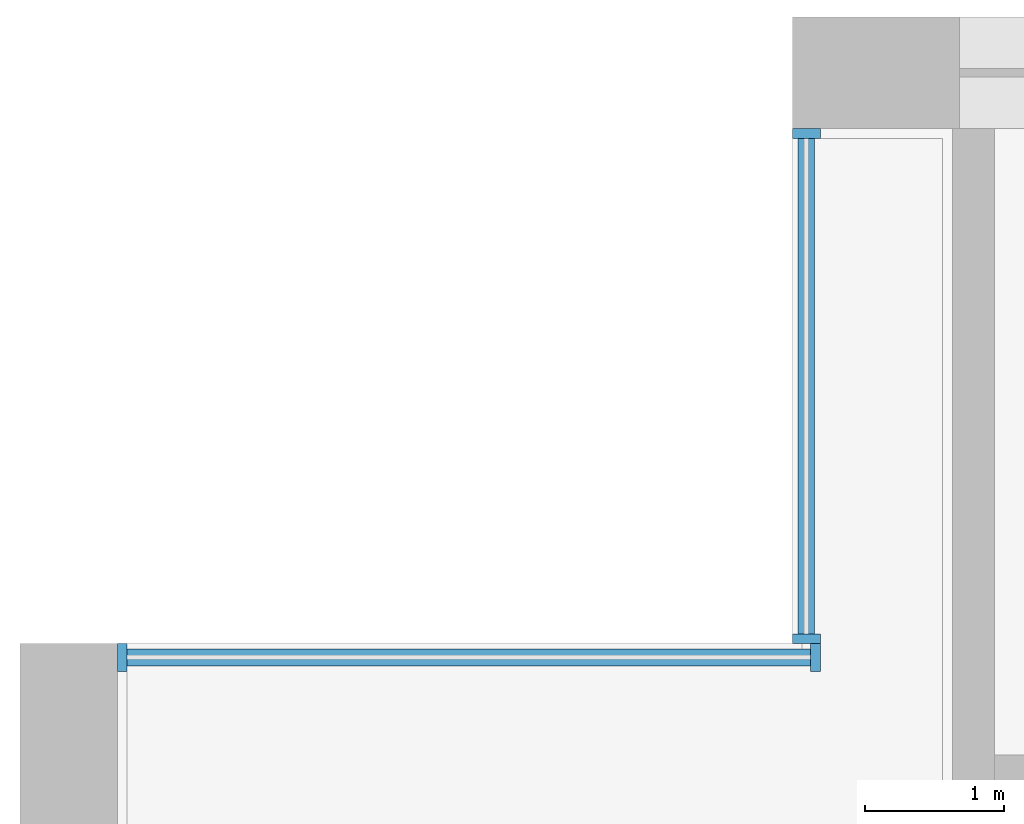
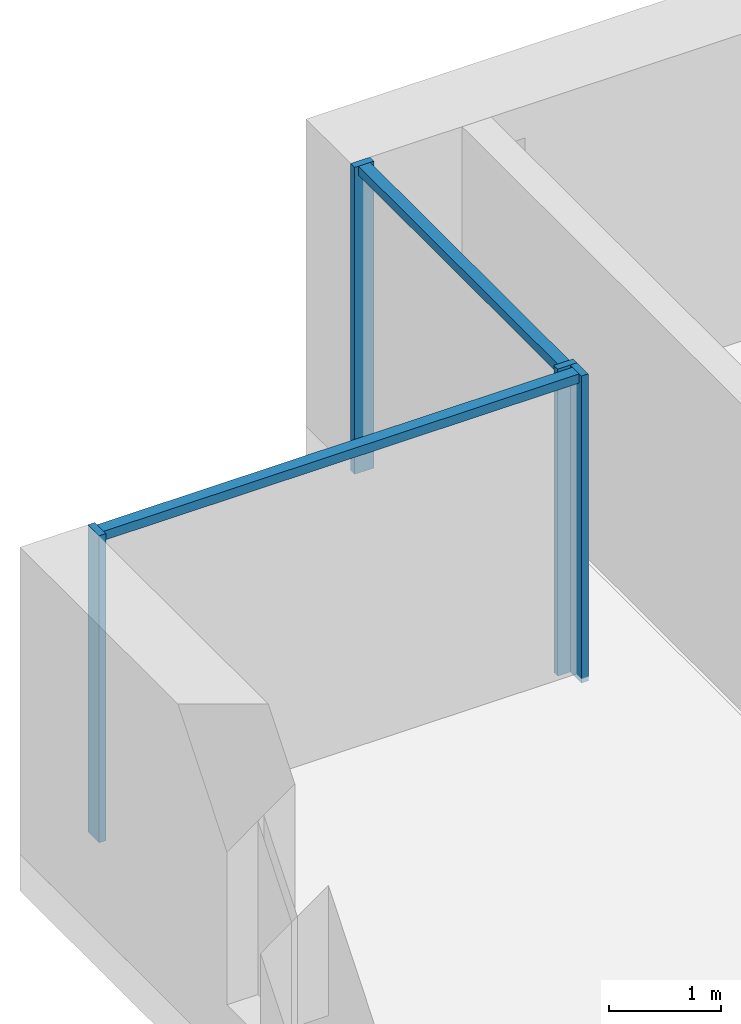
# One storey, part 4 of 15: 6 members, 2 elements without a shape of their own.
"""IFC4 building model written with IfcOpenShell, lengths in metres."""

from ifc_helpers import new_model, si_unit, direction, frame, origin, origin_2d, place, context, subcontext, project, spatial, rectangle, extrude, material, material_profile, profile_set, type_object, element, aggregate, save


model = new_model("IFC4")

# Units and contexts
model_context = context("Model", 3, precision=1e-05, world=origin(), true_north=direction((0.0, 1.0)))
body_context = subcontext(model_context, "Body", "Model", "MODEL_VIEW")
ifc_project = project(units=[si_unit("LENGTHUNIT", "METRE"), si_unit("AREAUNIT", "SQUARE_METRE"), si_unit("VOLUMEUNIT", "CUBIC_METRE"), si_unit("PLANEANGLEUNIT", "RADIAN"), si_unit("MASSUNIT", "GRAM", prefix="KILO")], contexts=[model_context])

# Site, building, storey
site_placement = place(None, origin())
site = spatial("IfcSite", under=ifc_project, at=site_placement, CompositionType="ELEMENT")
building_placement = place(site_placement, origin())
building = spatial("IfcBuilding", under=site, at=building_placement, Name="Calvaro Tower", CompositionType="ELEMENT")
storey_placement = place(building_placement, frame((0.0, 0.0, 106.25)))
storey = spatial("IfcBuildingStorey", under=building, at=storey_placement, Name="L26", CompositionType="ELEMENT", Elevation=106.25)

# Curtain wall, members
ifc_material_1 = material(Name="Anodised aluminium", Category="aluminium")
curtain_wall_type = type_object("IfcCurtainWallType", Name="Office curtain wall, middle zone", PredefinedType="NOTDEFINED", material=ifc_material_1)
curtain_wall_1_placement = place(storey_placement, origin())
curtain_wall_1 = element("IfcCurtainWall", 1, at=curtain_wall_1_placement, inside=storey, type_object=curtain_wall_type, Name="CW2 corner curtain wall", PredefinedType="NOTDEFINED")
ifc_material_2 = material(Name="Anodised aluminium", Category="aluminium")
ifc_material_profile_1 = material_profile(ifc_material_2, rectangle(XDim=0.199951171875, YDim=0.070068359375, at=origin_2d()), Name="Mullion S2 70 x 200")
ifc_profile_set_1 = profile_set([ifc_material_profile_1], Name="Anodised aluminium")
member_type_1 = type_object("IfcMemberType", Name="Mullion S2 70 x 200", PredefinedType="MULLION", material=ifc_profile_set_1)
member_1_placement = place(storey_placement, frame((5.64990234375, 41.534912109375, 0.0), z_axis=(0.0, 0.0, 1.0), x_axis=(-1.0, 0.0, 0.0)))
member_1 = element("IfcMember", 2, at=member_1_placement, type_object=member_type_1, Name="CW2 mullion 1", PredefinedType="MULLION", context=body_context, shape_type="SweptSolid", body=[
    extrude(rectangle(XDim=0.199951171875, YDim=0.070068359375, at=origin_2d()), origin(), (0.0, 0.0, 1.0), 3.35009765625),
])
member_2_placement = place(storey_placement, frame((5.64990234375, 45.1650390625, 0.0), z_axis=(0.0, 0.0, 1.0), x_axis=(-1.0, 0.0, 0.0)))
member_2 = element("IfcMember", 3, at=member_2_placement, type_object=member_type_1, Name="CW2 mullion 2", PredefinedType="MULLION", context=body_context, shape_type="SweptSolid", body=[
    extrude(rectangle(XDim=0.199951171875, YDim=0.070068359375, at=origin_2d()), origin(), (0.0, 0.0, 1.0), 3.35009765625),
])

curtain_wall_2_placement = place(storey_placement, origin())
curtain_wall_2 = element("IfcCurtainWall", 4, at=curtain_wall_2_placement, inside=storey, type_object=curtain_wall_type, Name="CW2 corner curtain wall", PredefinedType="NOTDEFINED")
member_3_placement = place(storey_placement, frame((0.735107421875, 41.39990234375, 0.0), z_axis=(0.0, 0.0, 1.0), x_axis=(0.0, 1.0, 0.0)))
member_3 = element("IfcMember", 5, at=member_3_placement, type_object=member_type_1, Name="CW2 mullion 1", PredefinedType="MULLION", context=body_context, shape_type="SweptSolid", body=[
    extrude(rectangle(XDim=0.199951171875, YDim=0.070068359375, at=origin_2d()), origin(), (0.0, 0.0, 1.0), 3.35009765625),
])
member_4_placement = place(storey_placement, frame((5.715087890625, 41.39990234375, 0.0), z_axis=(0.0, 0.0, 1.0), x_axis=(0.0, 1.0, 0.0)))
member_4 = element("IfcMember", 6, at=member_4_placement, type_object=member_type_1, Name="CW2 mullion 2", PredefinedType="MULLION", context=body_context, shape_type="SweptSolid", body=[
    extrude(rectangle(XDim=0.199951171875, YDim=0.070068359375, at=origin_2d()), origin(), (0.0, 0.0, 1.0), 3.35009765625),
])

# Member
ifc_material_3 = material(Name="Anodised aluminium", Category="aluminium")
ifc_material_profile_2 = material_profile(ifc_material_3, rectangle(XDim=0.1201171875, YDim=0.10009765625, at=origin_2d()), Name="Transom S2 100 x 120")
ifc_profile_set_2 = profile_set([ifc_material_profile_2], Name="Anodised aluminium")
member_type_2 = type_object("IfcMemberType", Name="Transom S2 100 x 120", PredefinedType="USERDEFINED", material=ifc_profile_set_2)
member_5_placement = place(storey_placement, frame((5.64990234375, 41.570068359375, 3.300048828125), z_axis=(0.0, 1.0, 0.0), x_axis=(-1.0, 0.0, 0.0)))
member_5 = element("IfcMember", 7, at=member_5_placement, type_object=member_type_2, Name="CW2 transom 1.1", ObjectType="TRANSOM", PredefinedType="USERDEFINED", context=body_context, shape_type="SweptSolid", body=[
    extrude(rectangle(XDim=0.1201171875, YDim=0.10009765625, at=origin_2d()), origin(), (0.0, 0.0, 1.0), 3.559814453125),
])

aggregate(curtain_wall_1, [member_1, member_2, member_5])

member_6_placement = place(storey_placement, frame((0.77001953125, 41.39990234375, 3.300048828125), z_axis=(1.0, 0.0, 0.0), x_axis=(0.0, 1.0, 0.0)))
member_6 = element("IfcMember", 8, at=member_6_placement, type_object=member_type_2, Name="CW2 transom 1.1", ObjectType="TRANSOM", PredefinedType="USERDEFINED", context=body_context, shape_type="SweptSolid", body=[
    extrude(rectangle(XDim=0.1201171875, YDim=0.10009765625, at=origin_2d()), origin(), (0.0, 0.0, 1.0), 4.909912109375),
])

aggregate(curtain_wall_2, [member_3, member_4, member_6])

save(model, "model.ifc")
